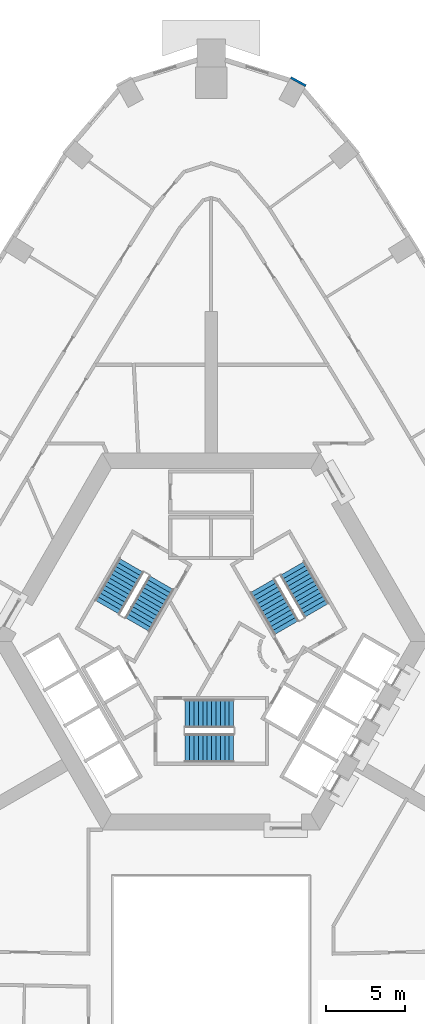
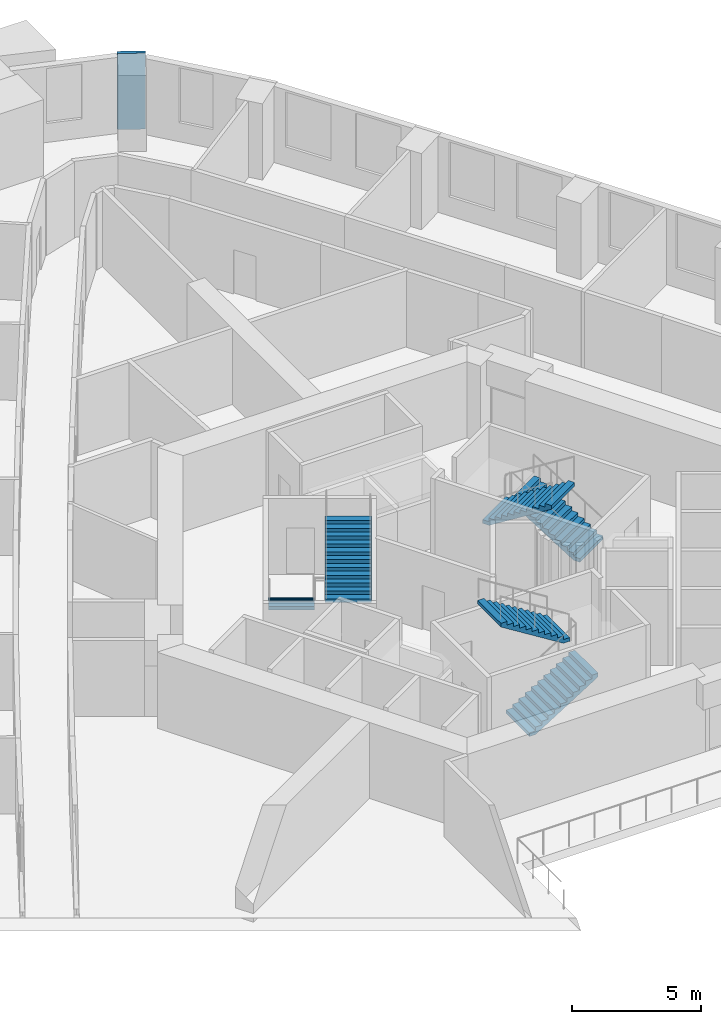
# One storey, part 11 of 14: 6 stair flights, 1 wall, 3 elements without a shape of their own.
"""IFC4 building model written with IfcOpenShell, lengths in metres."""

import ifcopenshell
import ifcopenshell.guid

model = None  # the IFC model being written
_history = None  # IfcOwnerHistory: only IFC2X3 demands one
_inside = {}  # id of a spatial element -> (the spatial element, [elements in it])
_under = {}  # id of a project, library or spatial element -> (it, [spatial elements below it])
_declared = {}  # id of a project -> (the project, [libraries it declares])
_typed = {}  # id of a type object -> (the type object, [elements of that type])
_made_of = {}  # id of a material, layer set ... -> (it, [elements and type objects made of it])


def new_model(schema):
    """Start an empty IFC model of exactly this schema.

    Asked for "IFC4X3", IfcOpenShell would pick the latest addendum, in which some entities
    have other attributes; the version numbers below select the first issue.
    IFC2X3 requires an IfcOwnerHistory on every rooted entity: one is made here for all.
    """
    global model, _history
    if schema == "IFC4X3":
        model = ifcopenshell.file(schema_version=(4, 3, 0, 0))
    else:
        model = ifcopenshell.file(schema=schema)
    _inside.clear()
    _under.clear()
    _declared.clear()
    _typed.clear()
    _made_of.clear()
    _history = None
    if model.schema == "IFC2X3":
        org = make("IfcOrganization", Name="unknown")
        user = make(
            "IfcPersonAndOrganization",
            ThePerson=make("IfcPerson", FamilyName="unknown"),
            TheOrganization=org,
        )
        app = make(
            "IfcApplication",
            ApplicationDeveloper=org,
            Version="unknown",
            ApplicationFullName="unknown",
            ApplicationIdentifier="unknown",
        )
        _history = make(
            "IfcOwnerHistory",
            OwningUser=user,
            OwningApplication=app,
            ChangeAction="ADDED",
            CreationDate=0,
        )
    return model


def make(cls, **values):
    """One entity of the class cls with the attributes given. An attribute that is None is left unset."""
    return model.create_entity(
        cls, **{name: value for name, value in values.items() if value is not None}
    )


def rooted(cls, **values):
    """An entity with a GlobalId (a new one), such as an element, a storey or a relation."""
    return make(cls, GlobalId=ifcopenshell.guid.new(), OwnerHistory=_history, **values)


def si_unit(unit_type, name, prefix=None):
    """IfcSIUnit, for example si_unit("LENGTHUNIT", "METRE", prefix="MILLI")."""
    return make("IfcSIUnit", UnitType=unit_type, Prefix=prefix, Name=name)


def assignment(units):
    """IfcUnitAssignment: the units of a project."""
    return None if units is None else make("IfcUnitAssignment", Units=units)


def point(xyz):
    """IfcCartesianPoint."""
    return None if xyz is None else make("IfcCartesianPoint", Coordinates=xyz)


def direction(xyz):
    """IfcDirection."""
    return None if xyz is None else make("IfcDirection", DirectionRatios=xyz)


def frame(location, z_axis=None, x_axis=None):
    """IfcAxis2Placement3D, a coordinate frame: its origin and axes. An axis left out is left unset."""
    return make(
        "IfcAxis2Placement3D",
        Location=point(location),
        Axis=direction(z_axis),
        RefDirection=direction(x_axis),
    )


def frame_2d(location, x_axis=None):
    """IfcAxis2Placement2D, a coordinate frame in the plane: its origin and x axis."""
    return make(
        "IfcAxis2Placement2D", Location=point(location), RefDirection=direction(x_axis)
    )


def origin():
    """The frame at (0, 0, 0) with its axes left unset."""
    return frame((0.0, 0.0, 0.0))


def place(relative_to, where):
    """IfcLocalPlacement: puts the frame where relative to a parent placement (None: the world)."""
    return make(
        "IfcLocalPlacement", PlacementRelTo=relative_to, RelativePlacement=where
    )


def context(
    kind, dimensions, precision=None, world=None, true_north=None, identifier=None
):
    """IfcGeometricRepresentationContext, for example the 3D "Model" context."""
    return make(
        "IfcGeometricRepresentationContext",
        ContextIdentifier=identifier,
        ContextType=kind,
        CoordinateSpaceDimension=dimensions,
        Precision=precision,
        WorldCoordinateSystem=world,
        TrueNorth=true_north,
    )


def subcontext(parent, identifier, kind, view, scale=None):
    """IfcGeometricRepresentationSubContext, for example "Body" below "Model"."""
    return make(
        "IfcGeometricRepresentationSubContext",
        ContextIdentifier=identifier,
        ContextType=kind,
        ParentContext=parent,
        TargetScale=scale,
        TargetView=view,
    )


def project(units=None, contexts=None):
    """IfcProject with its units and contexts."""
    return rooted(
        "IfcProject",
        Name="project",
        RepresentationContexts=contexts,
        UnitsInContext=assignment(units),
    )


def spatial(cls, under=None, at=None, **own):
    """A site, building, storey or space (cls), placed at a placement, below another one or the project."""
    s = rooted(cls, ObjectPlacement=at, **own)
    if under is not None:
        _under.setdefault(under.id(), (under, []))[1].append(s)
    return s


def polyline(points):
    """IfcPolyline through the points."""
    return make("IfcPolyline", Points=[point(p) for p in points])


def profile(cls, at=None, kind="AREA", **sizes):
    """A parametric profile (cls). Its sizes go by their IFC names, for example OverallWidth=200.0."""
    return make(cls, ProfileType=kind, Position=at, **sizes)


def rectangle(**sizes):
    """IfcRectangleProfileDef."""
    return profile("IfcRectangleProfileDef", **sizes)


def outline(outer, holes=None, kind="AREA"):
    """IfcArbitraryClosedProfileDef: a profile drawn as a closed curve; with holes, ...WithVoids."""
    if holes is None:
        return make("IfcArbitraryClosedProfileDef", ProfileType=kind, OuterCurve=outer)
    return make(
        "IfcArbitraryProfileDefWithVoids",
        ProfileType=kind,
        OuterCurve=outer,
        InnerCurves=holes,
    )


def extrude(swept, where, along, depth):
    """IfcExtrudedAreaSolid: the profile swept, set in the frame where, extruded along a direction by depth."""
    return make(
        "IfcExtrudedAreaSolid",
        SweptArea=swept,
        Position=where,
        ExtrudedDirection=direction(along),
        Depth=depth,
    )


def shape(context_of_items, identifier, shape_type, items):
    """IfcShapeRepresentation: the items that make up one representation, for example the "Body"."""
    return make(
        "IfcShapeRepresentation",
        ContextOfItems=context_of_items,
        RepresentationIdentifier=identifier,
        RepresentationType=shape_type,
        Items=items,
    )


def material(Name=None, Category=None):
    """IfcMaterial."""
    return make("IfcMaterial", Name=Name, Category=Category)


def layer(
    of_material, thickness, ventilated=None, Name=None, Category=None, Priority=None
):
    """IfcMaterialLayer: one layer of a wall or slab, of a material (None: an air gap)."""
    return make(
        "IfcMaterialLayer",
        Material=of_material,
        LayerThickness=thickness,
        IsVentilated=ventilated,
        Name=Name,
        Category=Category,
        Priority=Priority,
    )


def layer_set(layers, Name=None):
    """IfcMaterialLayerSet."""
    return make("IfcMaterialLayerSet", MaterialLayers=layers, LayerSetName=Name)


def made_of(thing, what):
    """Note that an element or type object is made of a material, layer set ...; save() writes the relation."""
    if what is not None:
        _made_of.setdefault(what.id(), (what, []))[1].append(thing)
    return thing


def type_object(cls, material=None, **own):
    """A type object (cls), such as IfcWallType, which elements share."""
    return made_of(rooted(cls, **own), material)


def element(
    cls,
    number,
    at=None,
    inside=None,
    cuts=None,
    type_object=None,
    material=None,
    context=None,
    identifier="Body",
    shape_type=None,
    held_by="IfcProductDefinitionShape",
    body=None,
    shapes=None,
    **own,
):
    """One element of the class cls, such as IfcWall. Its Tag is "e" and its number.

    at: its placement. inside: the storey or other place that contains it. cuts: it is an
    opening in that element (IfcRelVoidsElement). A single representation is given by context,
    identifier, shape_type and body (its items); several are given by shapes. held_by: the class
    of the entity that holds the representations. save() writes the other relations.
    """
    e = rooted(cls, Tag="e%d" % number, ObjectPlacement=at, **own)
    if body is not None:
        shapes = [shape(context, identifier, shape_type, body)]
    if shapes is not None:
        e.Representation = make(held_by, Representations=shapes)
    if inside is not None:
        _inside.setdefault(inside.id(), (inside, []))[1].append(e)
    if cuts is not None:
        rooted(
            "IfcRelVoidsElement", RelatingBuildingElement=cuts, RelatedOpeningElement=e
        )
    if type_object is not None:
        _typed.setdefault(type_object.id(), (type_object, []))[1].append(e)
    return made_of(e, material)


def aggregate(whole, parts):
    """IfcRelAggregates: a whole, such as a stair, and the parts it consists of."""
    return rooted("IfcRelAggregates", RelatingObject=whole, RelatedObjects=parts)


def save(model, path):
    """Write the relations noted so far, then the file.

    IfcRelAggregates (storeys below a building ...), IfcRelContainedInSpatialStructure (elements
    in a storey), IfcRelDefinesByType, IfcRelAssociatesMaterial and IfcRelDeclares: one each for
    every whole, place, type object, material and project.
    """
    for whole, parts in _under.values():
        aggregate(whole, parts)
    for where, things in _inside.values():
        rooted(
            "IfcRelContainedInSpatialStructure",
            RelatedElements=things,
            RelatingStructure=where,
        )
    for kind, things in _typed.values():
        rooted("IfcRelDefinesByType", RelatedObjects=things, RelatingType=kind)
    for what, things in _made_of.values():
        rooted("IfcRelAssociatesMaterial", RelatedObjects=things, RelatingMaterial=what)
    for by, libraries in _declared.values():
        rooted("IfcRelDeclares", RelatingContext=by, RelatedDefinitions=libraries)
    model.write(path)


model = new_model("IFC4")

# Units and contexts
model_context = context("Model", 3, precision=1e-05, world=origin(), true_north=direction((0.0, 1.0)))
body_context = subcontext(model_context, "Body", "Model", "MODEL_VIEW")
ifc_project = project(units=[si_unit("LENGTHUNIT", "METRE"), si_unit("AREAUNIT", "SQUARE_METRE"), si_unit("VOLUMEUNIT", "CUBIC_METRE"), si_unit("PLANEANGLEUNIT", "RADIAN"), si_unit("MASSUNIT", "GRAM", prefix="KILO")], contexts=[model_context])

# Site, building, storey
site_placement = place(None, origin())
site = spatial("IfcSite", under=ifc_project, at=site_placement, CompositionType="ELEMENT")
building_placement = place(site_placement, origin())
building = spatial("IfcBuilding", under=site, at=building_placement, Name="Entoto Arch Interchange Tower", CompositionType="ELEMENT")
storey_placement = place(building_placement, frame((0.0, 0.0, 180.199951171875)))
storey = spatial("IfcBuildingStorey", under=building, at=storey_placement, Name="L40", CompositionType="ELEMENT", Elevation=180.199951171875)

# Wall
ifc_material_1 = material(Name="Welded tuff (ignimbrite) cladding, warm buff", Category="masonry")
ifc_layer = layer(ifc_material_1, 0.14990234375)
ifc_layer_set = layer_set([ifc_layer], Name="Welded tuff (ignimbrite) cladding, warm buff")
wall_type = type_object("IfcWallType", Name="STONE PIER CLADDING 150", PredefinedType="STANDARD", material=ifc_layer_set)
wall_placement = place(storey_placement, frame((6.031982421875, 37.860107421875, 0.0), z_axis=(0.0, 0.0, 1.0), x_axis=(-0.877929486755, 0.478789950068, 0.0)))
element("IfcWall", 1, at=wall_placement, inside=storey, type_object=wall_type, Name="Stone pier N1 L40", PredefinedType="STANDARD", context=body_context, shape_type="SweptSolid", body=[
    extrude(rectangle(XDim=1.100341796875, YDim=0.14990234375, at=frame_2d((0.55029296875, 0.0))), origin(), (0.0, 0.0, 1.0), 3.60009765625),
])

# Stair, stair flights
ifc_material_2 = material(Name="Concrete C40/50", Category="concrete")
stair_type = type_object("IfcStairType", Name="EXIT STAIR RC 1800", PredefinedType="HALF_TURN_STAIR", material=ifc_material_2)
stair_1_placement = place(storey_placement, origin())
stair_1 = element("IfcStair", 2, at=stair_1_placement, inside=storey, type_object=stair_type, Name="L40 Exit stair S", PredefinedType="HALF_TURN_STAIR")
stair_flight_type = type_object("IfcStairFlightType", Name="EXIT STAIR FLIGHT RC 1800", PredefinedType="STRAIGHT", material=ifc_material_2)
stair_flight_1_placement = place(storey_placement, frame((-1.64990234375, -4.300048828125, 0.0), z_axis=(0.0, 0.0, 1.0), x_axis=(1.0, 0.0, 0.0)))
stair_flight_1 = element("IfcStairFlight", 3, at=stair_flight_1_placement, type_object=stair_flight_type, Name="ST-S flight 1", NumberOfRisers=12, NumberOfTreads=11, PredefinedType="STRAIGHT", RiserHeight=0.175, TreadLength=0.28, context=body_context, shape_type="SweptSolid", body=[
    extrude(outline(polyline([(-0.0029296875, 0.0), (-0.0029296875, 0.175048828125), (0.280029296875, 0.175048828125), (0.280029296875, 0.35009765625), (0.56005859375, 0.35009765625), (0.56005859375, 0.52490234375), (0.840087890625, 0.52490234375), (0.840087890625, 0.699951171875), (1.1201171875, 0.699951171875), (1.1201171875, 0.875), (1.39990234375, 0.875), (1.39990234375, 1.050048828125), (1.679931640625, 1.050048828125), (1.679931640625, 1.22509765625), (1.9599609375, 1.22509765625), (1.9599609375, 1.39990234375), (2.239990234375, 1.39990234375), (2.239990234375, 1.574951171875), (2.52001953125, 1.574951171875), (2.52001953125, 1.75), (2.800048828125, 1.75), (2.800048828125, 1.925048828125), (3.080078125, 1.925048828125), (3.0830078125, 1.925048828125), (3.0830078125, 1.75), (0.28271484375, 0.0), (-0.0029296875, 0.0)])), frame((0.0, 0.89990234375, 0.0), z_axis=(0.0, -1.0, 0.0), x_axis=(1.0, 0.0, 0.0)), (0.0, 0.0, 1.0), 1.800048828125),
])
stair_flight_2_placement = place(storey_placement, frame((1.429931640625, -2.10009765625, 2.10009765625), z_axis=(0.0, 0.0, 1.0), x_axis=(-1.0, 0.0, 0.0)))
stair_flight_2 = element("IfcStairFlight", 4, at=stair_flight_2_placement, type_object=stair_flight_type, Name="ST-S flight 2", NumberOfRisers=12, NumberOfTreads=11, PredefinedType="STRAIGHT", RiserHeight=0.175, TreadLength=0.28, context=body_context, shape_type="SweptSolid", body=[
    extrude(outline(polyline([(-0.0029296875, 0.0), (-0.0029296875, 0.175048828125), (0.280029296875, 0.175048828125), (0.280029296875, 0.35009765625), (0.56005859375, 0.35009765625), (0.56005859375, 0.52490234375), (0.840087890625, 0.52490234375), (0.840087890625, 0.699951171875), (1.1201171875, 0.699951171875), (1.1201171875, 0.875), (1.39990234375, 0.875), (1.39990234375, 1.050048828125), (1.679931640625, 1.050048828125), (1.679931640625, 1.22509765625), (1.9599609375, 1.22509765625), (1.9599609375, 1.39990234375), (2.239990234375, 1.39990234375), (2.239990234375, 1.574951171875), (2.52001953125, 1.574951171875), (2.52001953125, 1.75), (2.800048828125, 1.75), (2.800048828125, 1.925048828125), (3.080078125, 1.925048828125), (3.0830078125, 1.925048828125), (3.0830078125, 1.75), (0.28271484375, 0.0), (-0.0029296875, 0.0)])), frame((0.0, 0.89990234375, 0.0), z_axis=(0.0, -1.0, 0.0), x_axis=(1.0, 0.0, 0.0)), (0.0, 0.0, 1.0), 1.800048828125),
])
aggregate(stair_1, [stair_flight_1, stair_flight_2])

stair_2_placement = place(storey_placement, origin())
stair_2 = element("IfcStair", 5, at=stair_2_placement, inside=storey, type_object=stair_type, Name="L40 Exit stair NE", PredefinedType="HALF_TURN_STAIR")
stair_flight_3_placement = place(storey_placement, frame((6.7138671875, 4.470947265625, 0.0), z_axis=(0.0, 0.0, 1.0), x_axis=(-0.5, 0.866025403784, 0.0)))
stair_flight_3 = element("IfcStairFlight", 6, at=stair_flight_3_placement, type_object=stair_flight_type, Name="ST-NE flight 1", NumberOfRisers=12, NumberOfTreads=11, PredefinedType="STRAIGHT", RiserHeight=0.175, TreadLength=0.28, context=body_context, shape_type="SweptSolid", body=[
    extrude(outline(polyline([(-0.0029296875, 0.0), (-0.0029296875, 0.175048828125), (0.280029296875, 0.175048828125), (0.280029296875, 0.35009765625), (0.56005859375, 0.35009765625), (0.56005859375, 0.52490234375), (0.840087890625, 0.52490234375), (0.840087890625, 0.699951171875), (1.1201171875, 0.699951171875), (1.1201171875, 0.875), (1.39990234375, 0.875), (1.39990234375, 1.050048828125), (1.679931640625, 1.050048828125), (1.679931640625, 1.22509765625), (1.9599609375, 1.22509765625), (1.9599609375, 1.39990234375), (2.239990234375, 1.39990234375), (2.239990234375, 1.574951171875), (2.52001953125, 1.574951171875), (2.52001953125, 1.75), (2.800048828125, 1.75), (2.800048828125, 1.925048828125), (3.080078125, 1.925048828125), (3.0830078125, 1.925048828125), (3.0830078125, 1.75), (0.28271484375, 0.0), (-0.0029296875, 0.0)])), frame((0.0, 0.89990234375, 0.0), z_axis=(0.0, -1.0, 0.0), x_axis=(1.0, 0.0, 0.0)), (0.0, 0.0, 1.0), 1.800048828125),
])
stair_flight_4_placement = place(storey_placement, frame((3.268798828125, 6.038330078125, 2.10009765625), z_axis=(0.0, 0.0, 1.0), x_axis=(0.5, -0.866025403784, 0.0)))
stair_flight_4 = element("IfcStairFlight", 7, at=stair_flight_4_placement, type_object=stair_flight_type, Name="ST-NE flight 2", NumberOfRisers=12, NumberOfTreads=11, PredefinedType="STRAIGHT", RiserHeight=0.175, TreadLength=0.28, context=body_context, shape_type="SweptSolid", body=[
    extrude(outline(polyline([(-0.0029296875, 0.0), (-0.0029296875, 0.175048828125), (0.280029296875, 0.175048828125), (0.280029296875, 0.35009765625), (0.56005859375, 0.35009765625), (0.56005859375, 0.52490234375), (0.840087890625, 0.52490234375), (0.840087890625, 0.699951171875), (1.1201171875, 0.699951171875), (1.1201171875, 0.875), (1.39990234375, 0.875), (1.39990234375, 1.050048828125), (1.679931640625, 1.050048828125), (1.679931640625, 1.22509765625), (1.9599609375, 1.22509765625), (1.9599609375, 1.39990234375), (2.239990234375, 1.39990234375), (2.239990234375, 1.574951171875), (2.52001953125, 1.574951171875), (2.52001953125, 1.75), (2.800048828125, 1.75), (2.800048828125, 1.925048828125), (3.080078125, 1.925048828125), (3.0830078125, 1.925048828125), (3.0830078125, 1.75), (0.28271484375, 0.0), (-0.0029296875, 0.0)])), frame((0.0, 0.89990234375, 0.0), z_axis=(0.0, -1.0, 0.0), x_axis=(1.0, 0.0, 0.0)), (0.0, 0.0, 1.0), 1.800048828125),
])
aggregate(stair_2, [stair_flight_3, stair_flight_4])

stair_3_placement = place(storey_placement, origin())
stair_3 = element("IfcStair", 8, at=stair_3_placement, inside=storey, type_object=stair_type, Name="L40 Exit stair NW", PredefinedType="HALF_TURN_STAIR")
stair_flight_5_placement = place(storey_placement, frame((-5.06396484375, 7.328857421875, 0.0), z_axis=(0.0, 0.0, 1.0), x_axis=(-0.5, -0.866025403784, 0.0)))
stair_flight_5 = element("IfcStairFlight", 9, at=stair_flight_5_placement, type_object=stair_flight_type, Name="ST-NW flight 1", NumberOfRisers=12, NumberOfTreads=11, PredefinedType="STRAIGHT", RiserHeight=0.175, TreadLength=0.28, context=body_context, shape_type="SweptSolid", body=[
    extrude(outline(polyline([(-0.0029296875, 0.0), (-0.0029296875, 0.175048828125), (0.280029296875, 0.175048828125), (0.280029296875, 0.35009765625), (0.56005859375, 0.35009765625), (0.56005859375, 0.52490234375), (0.840087890625, 0.52490234375), (0.840087890625, 0.699951171875), (1.1201171875, 0.699951171875), (1.1201171875, 0.875), (1.39990234375, 0.875), (1.39990234375, 1.050048828125), (1.679931640625, 1.050048828125), (1.679931640625, 1.22509765625), (1.9599609375, 1.22509765625), (1.9599609375, 1.39990234375), (2.239990234375, 1.39990234375), (2.239990234375, 1.574951171875), (2.52001953125, 1.574951171875), (2.52001953125, 1.75), (2.800048828125, 1.75), (2.800048828125, 1.925048828125), (3.080078125, 1.925048828125), (3.0830078125, 1.925048828125), (3.0830078125, 1.75), (0.28271484375, 0.0), (-0.0029296875, 0.0)])), frame((0.0, 0.89990234375, 0.0), z_axis=(0.0, -1.0, 0.0), x_axis=(1.0, 0.0, 0.0)), (0.0, 0.0, 1.0), 1.800048828125),
])
stair_flight_6_placement = place(storey_placement, frame((-4.69873046875, 3.5615234375, 2.10009765625), z_axis=(0.0, 0.0, 1.0), x_axis=(0.5, 0.866025403784, 0.0)))
stair_flight_6 = element("IfcStairFlight", 10, at=stair_flight_6_placement, type_object=stair_flight_type, Name="ST-NW flight 2", NumberOfRisers=12, NumberOfTreads=11, PredefinedType="STRAIGHT", RiserHeight=0.175, TreadLength=0.28, context=body_context, shape_type="SweptSolid", body=[
    extrude(outline(polyline([(-0.0029296875, 0.0), (-0.0029296875, 0.175048828125), (0.280029296875, 0.175048828125), (0.280029296875, 0.35009765625), (0.56005859375, 0.35009765625), (0.56005859375, 0.52490234375), (0.840087890625, 0.52490234375), (0.840087890625, 0.699951171875), (1.1201171875, 0.699951171875), (1.1201171875, 0.875), (1.39990234375, 0.875), (1.39990234375, 1.050048828125), (1.679931640625, 1.050048828125), (1.679931640625, 1.22509765625), (1.9599609375, 1.22509765625), (1.9599609375, 1.39990234375), (2.239990234375, 1.39990234375), (2.239990234375, 1.574951171875), (2.52001953125, 1.574951171875), (2.52001953125, 1.75), (2.800048828125, 1.75), (2.800048828125, 1.925048828125), (3.080078125, 1.925048828125), (3.0830078125, 1.925048828125), (3.0830078125, 1.75), (0.28271484375, 0.0), (-0.0029296875, 0.0)])), frame((0.0, 0.89990234375, 0.0), z_axis=(0.0, -1.0, 0.0), x_axis=(1.0, 0.0, 0.0)), (0.0, 0.0, 1.0), 1.800048828125),
])
aggregate(stair_3, [stair_flight_5, stair_flight_6])

save(model, "model.ifc")
